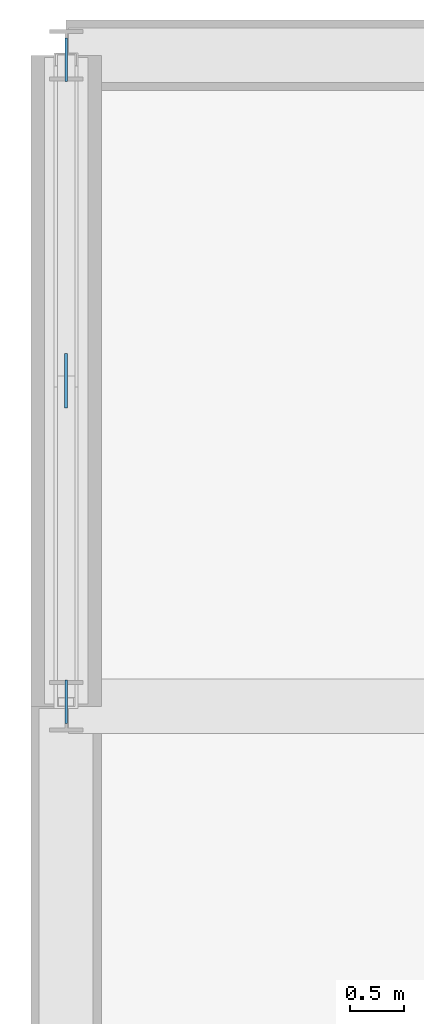
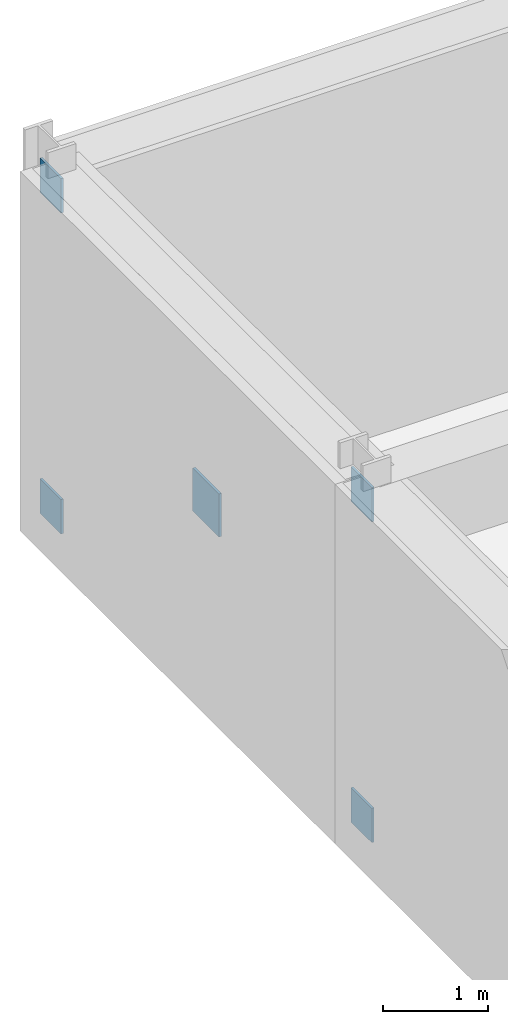
# One storey, part 30 of 35: 5 discrete accessories.
"""IFC4 building model written with IfcOpenShell, lengths in metres."""

from ifc_helpers import new_model, si_unit, direction, frame, origin, origin_2d, place, context, subcontext, project, spatial, rectangle, extrude, material, type_object, element, save


model = new_model("IFC4")

# Units and contexts
model_context = context("Model", 3, precision=1e-05, world=origin(), true_north=direction((0.0, 1.0)))
body_context = subcontext(model_context, "Body", "Model", "MODEL_VIEW")
ifc_project = project(units=[si_unit("LENGTHUNIT", "METRE"), si_unit("AREAUNIT", "SQUARE_METRE"), si_unit("VOLUMEUNIT", "CUBIC_METRE"), si_unit("PLANEANGLEUNIT", "RADIAN"), si_unit("MASSUNIT", "GRAM", prefix="KILO")], contexts=[model_context])

# Site, building, storey
site_placement = place(None, origin())
site = spatial("IfcSite", under=ifc_project, at=site_placement, CompositionType="ELEMENT")
building_placement = place(site_placement, origin())
building = spatial("IfcBuilding", under=site, at=building_placement, Name="Palais des Congres Ocreval", CompositionType="ELEMENT")
storey_placement = place(building_placement, frame((0.0, 0.0, -4.47998046875)))
storey = spatial("IfcBuildingStorey", under=building, at=storey_placement, Name="B1", CompositionType="ELEMENT", Elevation=-4.47998046875)

# Discrete accessories
ifc_material = material(Name="Steel S355", Category="steel")
discrete_accessory_type_1 = type_object("IfcDiscreteAccessoryType", Name="Cast-In Embed Plate PL25 Steel S355", PredefinedType="USERDEFINED", material=ifc_material)
for number, where, z_axis, x_axis, name in (
    (1, (0.0, 108.0400390625, 0.0), (0.0, 0.0, 1.0), (0.0, 1.0, 0.0), "Cast-In Embed Plate EP01"),
    (2, (0.0, 113.9599609375, 3.72998046875), (0.0, 0.0, 1.0), (0.0, 1.0, 0.0), "Cast-In Embed Plate EP01"),
    (3, (0.0, 108.0400390625, 3.72998046875), (0.0, 0.0, 1.0), (0.0, 1.0, 0.0), "Cast-In Embed Plate EP01"),
    (4, (0.0, 113.9599609375, 0.0), (0.0, 0.0, 1.0), (0.0, 1.0, 0.0), "Cast-In Embed Plate EP01"),
):
    element("IfcDiscreteAccessory", number, at=place(storey_placement, frame(where, z_axis=z_axis, x_axis=x_axis)), inside=storey, type_object=discrete_accessory_type_1, Name=name, ObjectType="EMBED PLATE", PredefinedType="USERDEFINED", context=body_context, shape_type="SweptSolid", body=[
        extrude(rectangle(XDim=0.39990234375, YDim=0.02490234375, at=origin_2d()), origin(), (0.0, 0.0, 1.0), 0.39990234375),
    ])
discrete_accessory_type_2 = type_object("IfcDiscreteAccessoryType", Name="X-Brace Node Gusset Plate PL30 Steel S355", PredefinedType="USERDEFINED", material=ifc_material)
discrete_accessory_placement = place(storey_placement, frame((0.0, 111.0, 1.7900390625), z_axis=(0.0, 0.0, 1.0), x_axis=(0.0, 1.0, 0.0)))
element("IfcDiscreteAccessory", 5, at=discrete_accessory_placement, inside=storey, type_object=discrete_accessory_type_2, Name="X-Brace Node Gusset Plate GP01", ObjectType="GUSSET PLATE", PredefinedType="USERDEFINED", context=body_context, shape_type="SweptSolid", body=[
    extrude(rectangle(XDim=0.5, YDim=0.030029296875, at=origin_2d()), origin(), (0.0, 0.0, 1.0), 0.5),
])

save(model, "model.ifc")
